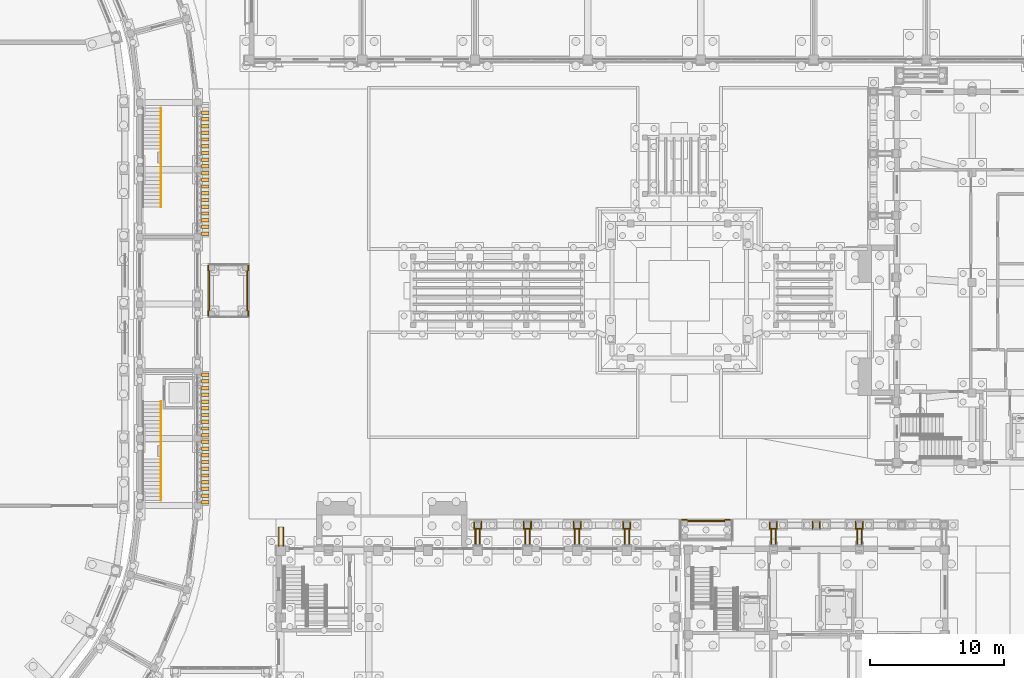
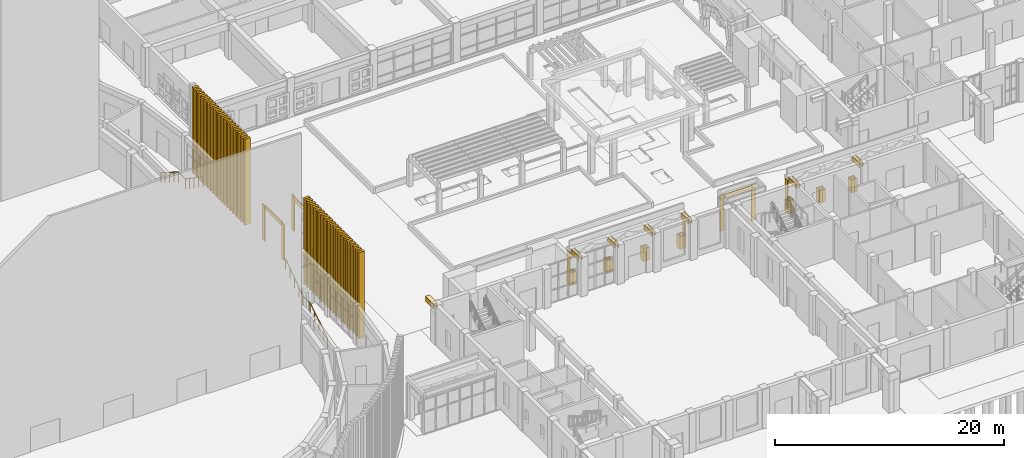
# One storey, part 98 of 112: 80 coverings, 2 railings.
"""IFC4 building model written with IfcOpenShell, lengths in metres."""

from ifc_helpers import new_model, si_unit, direction, frame, origin, origin_2d, place, context, subcontext, project, spatial, polyline, rectangle, circle, outline, extrude, material, layer, layer_set, type_object, element, save


model = new_model("IFC4")

# Units and contexts
model_context = context("Model", 3, precision=1e-05, world=origin(), true_north=direction((0.0, 1.0)))
body_context = subcontext(model_context, "Body", "Model", "MODEL_VIEW")
ifc_project = project(units=[si_unit("LENGTHUNIT", "METRE"), si_unit("AREAUNIT", "SQUARE_METRE"), si_unit("VOLUMEUNIT", "CUBIC_METRE"), si_unit("PLANEANGLEUNIT", "RADIAN"), si_unit("MASSUNIT", "GRAM", prefix="KILO")], contexts=[model_context])

# Site, building, storey
site_placement = place(None, origin())
site = spatial("IfcSite", under=ifc_project, at=site_placement, CompositionType="ELEMENT")
building_placement = place(site_placement, origin())
building = spatial("IfcBuilding", under=site, at=building_placement, Name="Wasatch Bagh Community Centre", CompositionType="ELEMENT")
storey_placement = place(building_placement, origin())
storey = spatial("IfcBuildingStorey", under=building, at=storey_placement, Name="L00", CompositionType="ELEMENT", Elevation=0.0)

# Coverings
ifc_material_1 = material(Name="Cast stone cladding", Category="masonry")
ifc_layer_1 = layer(ifc_material_1, 0.080078125)
ifc_layer_set_1 = layer_set([ifc_layer_1], Name="Cast stone cladding")
covering_type_1 = type_object("IfcCoveringType", Name="CL-B7 beam facing", PredefinedType="CLADDING", material=ifc_layer_set_1)
covering_1_placement = place(storey_placement, frame((0.0, 0.0, 3.39990234375)))
element("IfcCovering", 1, at=covering_1_placement, inside=storey, type_object=covering_type_1, Name="Beam facing", PredefinedType="CLADDING", context=body_context, shape_type="SweptSolid", body=[
    extrude(outline(polyline([(66.22509765625, 32.0), (66.22509765625, 33.39990234375), (66.14501953125, 33.39990234375), (66.14501953125, 32.0), (66.22509765625, 32.0)])), origin(), (0.0, 0.0, 1.0), 0.4501953125),
])
covering_2_placement = place(storey_placement, frame((0.0, 0.0, 3.39990234375)))
element("IfcCovering", 2, at=covering_2_placement, inside=storey, type_object=covering_type_1, Name="Beam facing", PredefinedType="CLADDING", context=body_context, shape_type="SweptSolid", body=[
    extrude(outline(polyline([(66.47509765625, 32.0), (66.47509765625, 33.39990234375), (66.554931640625, 33.39990234375), (66.554931640625, 32.0), (66.47509765625, 32.0)])), origin(), (0.0, 0.0, 1.0), 0.4501953125),
])
covering_3_placement = place(storey_placement, frame((0.0, 0.0, 3.85009765625)))
element("IfcCovering", 3, at=covering_3_placement, inside=storey, type_object=covering_type_1, Name="Beam facing", PredefinedType="CLADDING", context=body_context, shape_type="SweptSolid", body=[
    extrude(outline(polyline([(66.554931640625, 32.0), (66.554931640625, 33.39990234375), (66.14501953125, 33.39990234375), (66.14501953125, 32.0), (66.554931640625, 32.0)])), origin(), (0.0, 0.0, 1.0), 0.079833984375),
])
covering_4_placement = place(storey_placement, frame((0.0, 0.0, 3.39990234375)))
element("IfcCovering", 4, at=covering_4_placement, inside=storey, type_object=covering_type_1, Name="Beam facing", PredefinedType="CLADDING", context=body_context, shape_type="SweptSolid", body=[
    extrude(outline(polyline([(80.875, 32.0), (80.875, 33.324951171875), (80.794921875, 33.324951171875), (80.794921875, 32.0), (80.875, 32.0)])), origin(), (0.0, 0.0, 1.0), 0.4501953125),
])
covering_5_placement = place(storey_placement, frame((0.0, 0.0, 3.39990234375)))
element("IfcCovering", 5, at=covering_5_placement, inside=storey, type_object=covering_type_1, Name="Beam facing", PredefinedType="CLADDING", context=body_context, shape_type="SweptSolid", body=[
    extrude(outline(polyline([(81.125, 32.0), (81.125, 33.2900390625), (81.205078125, 33.2900390625), (81.205078125, 32.0), (81.125, 32.0)])), origin(), (0.0, 0.0, 1.0), 0.4501953125),
])
covering_6_placement = place(storey_placement, frame((0.0, 0.0, 3.39990234375)))
element("IfcCovering", 6, at=covering_6_placement, inside=storey, type_object=covering_type_1, Name="Beam facing", PredefinedType="CLADDING", context=body_context, shape_type="SweptSolid", body=[
    extrude(outline(polyline([(84.574951171875, 32.0), (84.574951171875, 33.2900390625), (84.4951171875, 33.2900390625), (84.4951171875, 32.0), (84.574951171875, 32.0)])), origin(), (0.0, 0.0, 1.0), 0.4501953125),
])
covering_7_placement = place(storey_placement, frame((0.0, 0.0, 3.39990234375)))
element("IfcCovering", 7, at=covering_7_placement, inside=storey, type_object=covering_type_1, Name="Beam facing", PredefinedType="CLADDING", context=body_context, shape_type="SweptSolid", body=[
    extrude(outline(polyline([(84.824951171875, 32.0), (84.824951171875, 33.2900390625), (84.905029296875, 33.2900390625), (84.905029296875, 32.0), (84.824951171875, 32.0)])), origin(), (0.0, 0.0, 1.0), 0.4501953125),
])
covering_8_placement = place(storey_placement, frame((0.0, 0.0, 3.39990234375)))
element("IfcCovering", 8, at=covering_8_placement, inside=storey, type_object=covering_type_1, Name="Beam facing", PredefinedType="CLADDING", context=body_context, shape_type="SweptSolid", body=[
    extrude(outline(polyline([(88.27490234375, 32.0), (88.27490234375, 33.2900390625), (88.195068359375, 33.2900390625), (88.195068359375, 32.0), (88.27490234375, 32.0)])), origin(), (0.0, 0.0, 1.0), 0.4501953125),
])
covering_9_placement = place(storey_placement, frame((0.0, 0.0, 3.39990234375)))
element("IfcCovering", 9, at=covering_9_placement, inside=storey, type_object=covering_type_1, Name="Beam facing", PredefinedType="CLADDING", context=body_context, shape_type="SweptSolid", body=[
    extrude(outline(polyline([(88.52490234375, 32.0), (88.52490234375, 33.2900390625), (88.60498046875, 33.2900390625), (88.60498046875, 32.0), (88.52490234375, 32.0)])), origin(), (0.0, 0.0, 1.0), 0.4501953125),
])
covering_10_placement = place(storey_placement, frame((0.0, 0.0, 3.39990234375)))
element("IfcCovering", 10, at=covering_10_placement, inside=storey, type_object=covering_type_1, Name="Beam facing", PredefinedType="CLADDING", context=body_context, shape_type="SweptSolid", body=[
    extrude(outline(polyline([(91.97509765625, 32.0), (91.97509765625, 33.2900390625), (91.89501953125, 33.2900390625), (91.89501953125, 32.0), (91.97509765625, 32.0)])), origin(), (0.0, 0.0, 1.0), 0.4501953125),
])
covering_11_placement = place(storey_placement, frame((0.0, 0.0, 3.39990234375)))
element("IfcCovering", 11, at=covering_11_placement, inside=storey, type_object=covering_type_1, Name="Beam facing", PredefinedType="CLADDING", context=body_context, shape_type="SweptSolid", body=[
    extrude(outline(polyline([(92.22509765625, 32.0), (92.22509765625, 33.324951171875), (92.304931640625, 33.324951171875), (92.304931640625, 32.0), (92.22509765625, 32.0)])), origin(), (0.0, 0.0, 1.0), 0.4501953125),
])
covering_12_placement = place(storey_placement, frame((0.0, 0.0, 3.39990234375)))
element("IfcCovering", 12, at=covering_12_placement, inside=storey, type_object=covering_type_1, Name="Beam facing", PredefinedType="CLADDING", context=body_context, shape_type="SweptSolid", body=[
    extrude(outline(polyline([(102.875, 32.0), (102.875, 33.324951171875), (102.794921875, 33.324951171875), (102.794921875, 32.0), (102.875, 32.0)])), origin(), (0.0, 0.0, 1.0), 0.4501953125),
])
covering_13_placement = place(storey_placement, frame((0.0, 0.0, 3.39990234375)))
element("IfcCovering", 13, at=covering_13_placement, inside=storey, type_object=covering_type_1, Name="Beam facing", PredefinedType="CLADDING", context=body_context, shape_type="SweptSolid", body=[
    extrude(outline(polyline([(103.125, 32.0), (103.125, 33.2900390625), (103.205078125, 33.2900390625), (103.205078125, 32.0), (103.125, 32.0)])), origin(), (0.0, 0.0, 1.0), 0.4501953125),
])
covering_14_placement = place(storey_placement, frame((0.0, 0.0, 3.39990234375)))
element("IfcCovering", 14, at=covering_14_placement, inside=storey, type_object=covering_type_1, Name="Beam facing", PredefinedType="CLADDING", context=body_context, shape_type="SweptSolid", body=[
    extrude(outline(polyline([(109.27490234375, 32.0), (109.27490234375, 33.2900390625), (109.195068359375, 33.2900390625), (109.195068359375, 32.0), (109.27490234375, 32.0)])), origin(), (0.0, 0.0, 1.0), 0.4501953125),
])
covering_15_placement = place(storey_placement, frame((0.0, 0.0, 3.39990234375)))
element("IfcCovering", 15, at=covering_15_placement, inside=storey, type_object=covering_type_1, Name="Beam facing", PredefinedType="CLADDING", context=body_context, shape_type="SweptSolid", body=[
    extrude(outline(polyline([(109.52490234375, 32.0), (109.52490234375, 33.2900390625), (109.60498046875, 33.2900390625), (109.60498046875, 32.0), (109.52490234375, 32.0)])), origin(), (0.0, 0.0, 1.0), 0.4501953125),
])
covering_16_placement = place(storey_placement, frame((0.0, 0.0, 3.389892578125)))
element("IfcCovering", 16, at=covering_16_placement, inside=storey, type_object=covering_type_1, Name="Beam facing", PredefinedType="CLADDING", context=body_context, shape_type="SweptSolid", body=[
    extrude(outline(polyline([(61.074951171875, 49.5), (61.074951171875, 52.5), (60.9951171875, 52.5), (60.9951171875, 49.5), (61.074951171875, 49.5)])), origin(), (0.0, 0.0, 1.0), 0.4501953125),
])
covering_17_placement = place(storey_placement, frame((0.0, 0.0, 3.389892578125)))
element("IfcCovering", 17, at=covering_17_placement, inside=storey, type_object=covering_type_1, Name="Beam facing", PredefinedType="CLADDING", context=body_context, shape_type="SweptSolid", body=[
    extrude(outline(polyline([(63.824951171875, 49.5), (63.824951171875, 52.5), (63.905029296875, 52.5), (63.905029296875, 49.5), (63.824951171875, 49.5)])), origin(), (0.0, 0.0, 1.0), 0.4501953125),
])
covering_18_placement = place(storey_placement, frame((0.0, 0.0, 3.389892578125)))
element("IfcCovering", 18, at=covering_18_placement, inside=storey, type_object=covering_type_1, Name="Beam facing", PredefinedType="CLADDING", context=body_context, shape_type="SweptSolid", body=[
    extrude(outline(polyline([(96.60009765625, 33.824951171875), (99.39990234375, 33.824951171875), (99.39990234375, 33.905029296875), (96.60009765625, 33.905029296875), (96.60009765625, 33.824951171875)])), origin(), (0.0, 0.0, 1.0), 0.4501953125),
])
ifc_layer_2 = layer(ifc_material_1, 0.080078125)
ifc_layer_set_2 = layer_set([ifc_layer_2], Name="Cast stone cladding")
covering_type_2 = type_object("IfcCoveringType", Name="CL-C1 column facing", PredefinedType="CLADDING", material=ifc_layer_set_2)
covering_19_placement = place(storey_placement, origin())
element("IfcCovering", 19, at=covering_19_placement, inside=storey, type_object=covering_type_2, Name="Column facing", PredefinedType="CLADDING", context=body_context, shape_type="SweptSolid", body=[
    extrude(outline(polyline([(80.77490234375, 33.85498046875), (81.0, 33.85498046875), (81.0, 33.77490234375), (80.77490234375, 33.77490234375), (80.77490234375, 33.324951171875), (81.0, 33.324951171875), (81.0, 33.2451171875), (80.695068359375, 33.2451171875), (80.695068359375, 33.85498046875), (80.77490234375, 33.85498046875)])), origin(), (0.0, 0.0, 1.0), 1.353271484375),
])
covering_20_placement = place(storey_placement, origin())
element("IfcCovering", 20, at=covering_20_placement, inside=storey, type_object=covering_type_2, Name="Column facing", PredefinedType="CLADDING", context=body_context, shape_type="SweptSolid", body=[
    extrude(outline(polyline([(81.22509765625, 33.85498046875), (81.304931640625, 33.85498046875), (81.304931640625, 33.2451171875), (81.0, 33.2451171875), (81.0, 33.324951171875), (81.22509765625, 33.324951171875), (81.22509765625, 33.77490234375), (81.0, 33.77490234375), (81.0, 33.85498046875), (81.22509765625, 33.85498046875)])), origin(), (0.0, 0.0, 1.0), 1.353271484375),
])
covering_21_placement = place(storey_placement, frame((0.0, 0.0, 1.353271484375)))
element("IfcCovering", 21, at=covering_21_placement, inside=storey, type_object=covering_type_2, Name="Column facing", PredefinedType="CLADDING", context=body_context, shape_type="SweptSolid", body=[
    extrude(outline(polyline([(80.77490234375, 33.77490234375), (80.77490234375, 33.324951171875), (80.695068359375, 33.324951171875), (80.695068359375, 33.77490234375), (80.77490234375, 33.77490234375)])), origin(), (0.0, 0.0, 1.0), 2.1630859375),
])
covering_22_placement = place(storey_placement, origin())
element("IfcCovering", 22, at=covering_22_placement, inside=storey, type_object=covering_type_2, Name="Column facing", PredefinedType="CLADDING", context=body_context, shape_type="SweptSolid", body=[
    extrude(outline(polyline([(84.47509765625, 33.85498046875), (84.699951171875, 33.85498046875), (84.699951171875, 33.77490234375), (84.47509765625, 33.77490234375), (84.47509765625, 33.324951171875), (84.699951171875, 33.324951171875), (84.699951171875, 33.2451171875), (84.39501953125, 33.2451171875), (84.39501953125, 33.85498046875), (84.47509765625, 33.85498046875)])), origin(), (0.0, 0.0, 1.0), 1.353271484375),
])
covering_23_placement = place(storey_placement, origin())
element("IfcCovering", 23, at=covering_23_placement, inside=storey, type_object=covering_type_2, Name="Column facing", PredefinedType="CLADDING", context=body_context, shape_type="SweptSolid", body=[
    extrude(outline(polyline([(84.925048828125, 33.85498046875), (85.0048828125, 33.85498046875), (85.0048828125, 33.2451171875), (84.699951171875, 33.2451171875), (84.699951171875, 33.324951171875), (84.925048828125, 33.324951171875), (84.925048828125, 33.77490234375), (84.699951171875, 33.77490234375), (84.699951171875, 33.85498046875), (84.925048828125, 33.85498046875)])), origin(), (0.0, 0.0, 1.0), 1.353271484375),
])
covering_24_placement = place(storey_placement, origin())
element("IfcCovering", 24, at=covering_24_placement, inside=storey, type_object=covering_type_2, Name="Column facing", PredefinedType="CLADDING", context=body_context, shape_type="SweptSolid", body=[
    extrude(outline(polyline([(88.175048828125, 33.85498046875), (88.39990234375, 33.85498046875), (88.39990234375, 33.77490234375), (88.175048828125, 33.77490234375), (88.175048828125, 33.324951171875), (88.39990234375, 33.324951171875), (88.39990234375, 33.2451171875), (88.094970703125, 33.2451171875), (88.094970703125, 33.85498046875), (88.175048828125, 33.85498046875)])), origin(), (0.0, 0.0, 1.0), 1.353271484375),
])
covering_25_placement = place(storey_placement, origin())
element("IfcCovering", 25, at=covering_25_placement, inside=storey, type_object=covering_type_2, Name="Column facing", PredefinedType="CLADDING", context=body_context, shape_type="SweptSolid", body=[
    extrude(outline(polyline([(88.625, 33.85498046875), (88.705078125, 33.85498046875), (88.705078125, 33.2451171875), (88.39990234375, 33.2451171875), (88.39990234375, 33.324951171875), (88.625, 33.324951171875), (88.625, 33.77490234375), (88.39990234375, 33.77490234375), (88.39990234375, 33.85498046875), (88.625, 33.85498046875)])), origin(), (0.0, 0.0, 1.0), 1.353271484375),
])
covering_26_placement = place(storey_placement, origin())
element("IfcCovering", 26, at=covering_26_placement, inside=storey, type_object=covering_type_2, Name="Column facing", PredefinedType="CLADDING", context=body_context, shape_type="SweptSolid", body=[
    extrude(outline(polyline([(91.875, 33.85498046875), (92.10009765625, 33.85498046875), (92.10009765625, 33.77490234375), (91.875, 33.77490234375), (91.875, 33.324951171875), (92.10009765625, 33.324951171875), (92.10009765625, 33.2451171875), (91.794921875, 33.2451171875), (91.794921875, 33.85498046875), (91.875, 33.85498046875)])), origin(), (0.0, 0.0, 1.0), 1.353271484375),
])
covering_27_placement = place(storey_placement, origin())
element("IfcCovering", 27, at=covering_27_placement, inside=storey, type_object=covering_type_2, Name="Column facing", PredefinedType="CLADDING", context=body_context, shape_type="SweptSolid", body=[
    extrude(outline(polyline([(92.324951171875, 33.85498046875), (92.405029296875, 33.85498046875), (92.405029296875, 33.2451171875), (92.10009765625, 33.2451171875), (92.10009765625, 33.324951171875), (92.324951171875, 33.324951171875), (92.324951171875, 33.77490234375), (92.10009765625, 33.77490234375), (92.10009765625, 33.85498046875), (92.324951171875, 33.85498046875)])), origin(), (0.0, 0.0, 1.0), 1.353271484375),
])
covering_28_placement = place(storey_placement, frame((0.0, 0.0, 1.353271484375)))
element("IfcCovering", 28, at=covering_28_placement, inside=storey, type_object=covering_type_2, Name="Column facing", PredefinedType="CLADDING", context=body_context, shape_type="SweptSolid", body=[
    extrude(outline(polyline([(92.324951171875, 33.324951171875), (92.324951171875, 33.77490234375), (92.405029296875, 33.77490234375), (92.405029296875, 33.324951171875), (92.324951171875, 33.324951171875)])), origin(), (0.0, 0.0, 1.0), 2.1630859375),
])
covering_29_placement = place(storey_placement, origin())
element("IfcCovering", 29, at=covering_29_placement, inside=storey, type_object=covering_type_2, Name="Column facing", PredefinedType="CLADDING", context=body_context, shape_type="SweptSolid", body=[
    extrude(outline(polyline([(102.77490234375, 33.85498046875), (103.0, 33.85498046875), (103.0, 33.77490234375), (102.77490234375, 33.77490234375), (102.77490234375, 33.324951171875), (103.0, 33.324951171875), (103.0, 33.2451171875), (102.695068359375, 33.2451171875), (102.695068359375, 33.85498046875), (102.77490234375, 33.85498046875)])), origin(), (0.0, 0.0, 1.0), 1.352294921875),
])
covering_30_placement = place(storey_placement, origin())
element("IfcCovering", 30, at=covering_30_placement, inside=storey, type_object=covering_type_2, Name="Column facing", PredefinedType="CLADDING", context=body_context, shape_type="SweptSolid", body=[
    extrude(outline(polyline([(103.22509765625, 33.85498046875), (103.304931640625, 33.85498046875), (103.304931640625, 33.2451171875), (103.0, 33.2451171875), (103.0, 33.324951171875), (103.22509765625, 33.324951171875), (103.22509765625, 33.77490234375), (103.0, 33.77490234375), (103.0, 33.85498046875), (103.22509765625, 33.85498046875)])), origin(), (0.0, 0.0, 1.0), 1.352294921875),
])
covering_31_placement = place(storey_placement, frame((0.0, 0.0, 1.352294921875)))
element("IfcCovering", 31, at=covering_31_placement, inside=storey, type_object=covering_type_2, Name="Column facing", PredefinedType="CLADDING", context=body_context, shape_type="SweptSolid", body=[
    extrude(outline(polyline([(102.77490234375, 33.77490234375), (102.77490234375, 33.324951171875), (102.695068359375, 33.324951171875), (102.695068359375, 33.77490234375), (102.77490234375, 33.77490234375)])), origin(), (0.0, 0.0, 1.0), 2.18017578125),
])
covering_32_placement = place(storey_placement, origin())
element("IfcCovering", 32, at=covering_32_placement, inside=storey, type_object=covering_type_2, Name="Column facing", PredefinedType="CLADDING", context=body_context, shape_type="SweptSolid", body=[
    extrude(outline(polyline([(105.97509765625, 33.85498046875), (106.199951171875, 33.85498046875), (106.199951171875, 33.77490234375), (105.97509765625, 33.77490234375), (105.97509765625, 33.324951171875), (106.199951171875, 33.324951171875), (106.199951171875, 33.2451171875), (105.89501953125, 33.2451171875), (105.89501953125, 33.85498046875), (105.97509765625, 33.85498046875)])), origin(), (0.0, 0.0, 1.0), 1.352294921875),
])
covering_33_placement = place(storey_placement, origin())
element("IfcCovering", 33, at=covering_33_placement, inside=storey, type_object=covering_type_2, Name="Column facing", PredefinedType="CLADDING", context=body_context, shape_type="SweptSolid", body=[
    extrude(outline(polyline([(106.425048828125, 33.85498046875), (106.5048828125, 33.85498046875), (106.5048828125, 33.2451171875), (106.199951171875, 33.2451171875), (106.199951171875, 33.324951171875), (106.425048828125, 33.324951171875), (106.425048828125, 33.77490234375), (106.199951171875, 33.77490234375), (106.199951171875, 33.85498046875), (106.425048828125, 33.85498046875)])), origin(), (0.0, 0.0, 1.0), 1.352294921875),
])
covering_34_placement = place(storey_placement, origin())
element("IfcCovering", 34, at=covering_34_placement, inside=storey, type_object=covering_type_2, Name="Column facing", PredefinedType="CLADDING", context=body_context, shape_type="SweptSolid", body=[
    extrude(outline(polyline([(109.175048828125, 33.85498046875), (109.39990234375, 33.85498046875), (109.39990234375, 33.77490234375), (109.175048828125, 33.77490234375), (109.175048828125, 33.324951171875), (109.39990234375, 33.324951171875), (109.39990234375, 33.2451171875), (109.094970703125, 33.2451171875), (109.094970703125, 33.85498046875), (109.175048828125, 33.85498046875)])), origin(), (0.0, 0.0, 1.0), 1.352294921875),
])
covering_35_placement = place(storey_placement, origin())
element("IfcCovering", 35, at=covering_35_placement, inside=storey, type_object=covering_type_2, Name="Column facing", PredefinedType="CLADDING", context=body_context, shape_type="SweptSolid", body=[
    extrude(outline(polyline([(109.625, 33.85498046875), (109.705078125, 33.85498046875), (109.705078125, 33.2451171875), (109.39990234375, 33.2451171875), (109.39990234375, 33.324951171875), (109.625, 33.324951171875), (109.625, 33.77490234375), (109.39990234375, 33.77490234375), (109.39990234375, 33.85498046875), (109.625, 33.85498046875)])), origin(), (0.0, 0.0, 1.0), 1.352294921875),
])
covering_36_placement = place(storey_placement, frame((0.0, 0.0, 0.008056640625)))
element("IfcCovering", 36, at=covering_36_placement, inside=storey, type_object=covering_type_2, Name="Column facing", PredefinedType="CLADDING", context=body_context, shape_type="SweptSolid", body=[
    extrude(outline(polyline([(61.0, 49.5), (61.0, 49.10009765625), (60.919921875, 49.10009765625), (60.919921875, 49.5), (61.0, 49.5)])), origin(), (0.0, 0.0, 1.0), 3.83203125),
])
covering_37_placement = place(storey_placement, frame((0.0, 0.0, 0.008056640625)))
element("IfcCovering", 37, at=covering_37_placement, inside=storey, type_object=covering_type_2, Name="Column facing", PredefinedType="CLADDING", context=body_context, shape_type="SweptSolid", body=[
    extrude(outline(polyline([(61.0, 52.89990234375), (61.0, 52.5), (60.919921875, 52.5), (60.919921875, 52.89990234375), (61.0, 52.89990234375)])), origin(), (0.0, 0.0, 1.0), 3.83203125),
])
covering_38_placement = place(storey_placement, origin())
element("IfcCovering", 38, at=covering_38_placement, inside=storey, type_object=covering_type_2, Name="Column facing", PredefinedType="CLADDING", context=body_context, shape_type="SweptSolid", body=[
    extrude(outline(polyline([(63.89990234375, 49.10009765625), (63.89990234375, 49.5), (63.97998046875, 49.5), (63.97998046875, 49.10009765625), (63.89990234375, 49.10009765625)])), origin(), (0.0, 0.0, 1.0), 3.840087890625),
])
covering_39_placement = place(storey_placement, origin())
element("IfcCovering", 39, at=covering_39_placement, inside=storey, type_object=covering_type_2, Name="Column facing", PredefinedType="CLADDING", context=body_context, shape_type="SweptSolid", body=[
    extrude(outline(polyline([(63.89990234375, 52.5), (63.89990234375, 52.89990234375), (63.97998046875, 52.89990234375), (63.97998046875, 52.5), (63.89990234375, 52.5)])), origin(), (0.0, 0.0, 1.0), 3.840087890625),
])
covering_40_placement = place(storey_placement, origin())
element("IfcCovering", 40, at=covering_40_placement, inside=storey, type_object=covering_type_2, Name="Column facing", PredefinedType="CLADDING", context=body_context, shape_type="SweptSolid", body=[
    extrude(outline(polyline([(96.60009765625, 33.89990234375), (96.199951171875, 33.89990234375), (96.199951171875, 33.97998046875), (96.60009765625, 33.97998046875), (96.60009765625, 33.89990234375)])), origin(), (0.0, 0.0, 1.0), 3.840087890625),
])
covering_41_placement = place(storey_placement, origin())
element("IfcCovering", 41, at=covering_41_placement, inside=storey, type_object=covering_type_2, Name="Column facing", PredefinedType="CLADDING", context=body_context, shape_type="SweptSolid", body=[
    extrude(outline(polyline([(99.800048828125, 33.89990234375), (99.39990234375, 33.89990234375), (99.39990234375, 33.97998046875), (99.800048828125, 33.97998046875), (99.800048828125, 33.89990234375)])), origin(), (0.0, 0.0, 1.0), 3.840087890625),
])

# Railings
ifc_material_2 = material(Name="ASTM A500 Grade C steel", Category="steel")
railing_type = type_object("IfcRailingType", Name="Drum guard 1100", PredefinedType="GUARDRAIL", material=ifc_material_2)
railing_1_placement = place(storey_placement, frame((57.425048828125, 35.39990234375, 0.175048828125)))
element("IfcRailing", 42, at=railing_1_placement, inside=storey, type_object=railing_type, Name="Stair guard SE0", PredefinedType="GUARDRAIL", context=body_context, shape_type="SweptSolid", body=[
    extrude(circle(Radius=0.02392578125, at=origin_2d()), frame((0.0, 0.0, 1.076171875), z_axis=(0.0, 0.847998304005, 0.529998940003), x_axis=(-1.0, 0.0, 0.0)), (0.0, 0.0, 1.0), 3.632080078125),
    extrude(circle(Radius=0.02392578125, at=origin_2d()), frame((0.0, 3.080078125, 3.0009765625), z_axis=(0.0, 1.0, 0.0), x_axis=(-1.0, 0.0, 0.0)), (0.0, 0.0, 1.0), 1.199951171875),
    extrude(circle(Radius=0.02392578125, at=origin_2d()), frame((0.0, 4.280029296875, 3.0009765625), z_axis=(0.0, 0.826252282691, 0.563300244406), x_axis=(-1.0, 0.0, 0.0)), (0.0, 0.0, 1.0), 3.727783203125),
    extrude(circle(Radius=0.02099609375, at=origin_2d()), origin(), (0.0, 0.0, 1.0), 1.052001953125),
    extrude(circle(Radius=0.02099609375, at=origin_2d()), frame((0.0, 0.77001953125, 0.481201171875)), (0.0, 0.0, 1.0), 1.052001953125),
    extrude(circle(Radius=0.02099609375, at=origin_2d()), frame((0.0, 1.5400390625, 0.96240234375)), (0.0, 0.0, 1.0), 1.052001953125),
    extrude(circle(Radius=0.02099609375, at=origin_2d()), frame((0.0, 2.31005859375, 1.44384765625)), (0.0, 0.0, 1.0), 1.052001953125),
    extrude(circle(Radius=0.02099609375, at=origin_2d()), frame((0.0, 3.080078125, 1.925048828125)), (0.0, 0.0, 1.0), 1.052001953125),
    extrude(circle(Radius=0.02099609375, at=origin_2d()), frame((0.0, 4.280029296875, 1.925048828125)), (0.0, 0.0, 1.0), 1.052001953125),
    extrude(circle(Radius=0.02099609375, at=origin_2d()), frame((0.0, 5.050048828125, 2.449951171875)), (0.0, 0.0, 1.0), 1.052001953125),
    extrude(circle(Radius=0.02099609375, at=origin_2d()), frame((0.0, 5.820068359375, 2.97509765625)), (0.0, 0.0, 1.0), 1.052001953125),
    extrude(circle(Radius=0.02099609375, at=origin_2d()), frame((0.0, 6.590087890625, 3.5)), (0.0, 0.0, 1.0), 1.052001953125),
    extrude(circle(Radius=0.02099609375, at=origin_2d()), frame((0.0, 7.360107421875, 4.02490234375)), (0.0, 0.0, 1.0), 1.052001953125),
])
railing_2_placement = place(storey_placement, frame((57.425048828125, 64.60009765625, 0.175048828125)))
element("IfcRailing", 43, at=railing_2_placement, inside=storey, type_object=railing_type, Name="Stair guard NE0", PredefinedType="GUARDRAIL", context=body_context, shape_type="SweptSolid", body=[
    extrude(circle(Radius=0.02392578125, at=origin_2d()), frame((0.0, 0.0, 1.076171875), z_axis=(0.0, -0.847998304005, 0.529998940003), x_axis=(1.0, 0.0, 0.0)), (0.0, 0.0, 1.0), 3.632080078125),
    extrude(circle(Radius=0.02392578125, at=origin_2d()), frame((0.0, -3.080078125, 3.0009765625), z_axis=(0.0, -1.0, 0.0), x_axis=(1.0, 0.0, 0.0)), (0.0, 0.0, 1.0), 1.199951171875),
    extrude(circle(Radius=0.02392578125, at=origin_2d()), frame((0.0, -4.280029296875, 3.0009765625), z_axis=(0.0, -0.826252282691, 0.563300244406), x_axis=(1.0, 0.0, 0.0)), (0.0, 0.0, 1.0), 3.727783203125),
    extrude(circle(Radius=0.02099609375, at=origin_2d()), origin(), (0.0, 0.0, 1.0), 1.052001953125),
    extrude(circle(Radius=0.02099609375, at=origin_2d()), frame((0.0, -0.77001953125, 0.481201171875)), (0.0, 0.0, 1.0), 1.052001953125),
    extrude(circle(Radius=0.02099609375, at=origin_2d()), frame((0.0, -1.5400390625, 0.96240234375)), (0.0, 0.0, 1.0), 1.052001953125),
    extrude(circle(Radius=0.02099609375, at=origin_2d()), frame((0.0, -2.31005859375, 1.44384765625)), (0.0, 0.0, 1.0), 1.052001953125),
    extrude(circle(Radius=0.02099609375, at=origin_2d()), frame((0.0, -3.080078125, 1.925048828125)), (0.0, 0.0, 1.0), 1.052001953125),
    extrude(circle(Radius=0.02099609375, at=origin_2d()), frame((0.0, -4.280029296875, 1.925048828125)), (0.0, 0.0, 1.0), 1.052001953125),
    extrude(circle(Radius=0.02099609375, at=origin_2d()), frame((0.0, -5.050048828125, 2.449951171875)), (0.0, 0.0, 1.0), 1.052001953125),
    extrude(circle(Radius=0.02099609375, at=origin_2d()), frame((0.0, -5.820068359375, 2.97509765625)), (0.0, 0.0, 1.0), 1.052001953125),
    extrude(circle(Radius=0.02099609375, at=origin_2d()), frame((0.0, -6.590087890625, 3.5)), (0.0, 0.0, 1.0), 1.052001953125),
    extrude(circle(Radius=0.02099609375, at=origin_2d()), frame((0.0, -7.360107421875, 4.02490234375)), (0.0, 0.0, 1.0), 1.052001953125),
])

# Coverings
ifc_material_3 = material(Name="White precast concrete C40/50", Category="concrete")
ifc_layer_3 = layer(ifc_material_3, 0.25)
ifc_layer_set_3 = layer_set([ifc_layer_3], Name="White precast concrete C40/50")
covering_type_3 = type_object("IfcCoveringType", Name="Drum vertical fin", PredefinedType="CLADDING", material=ifc_layer_set_3)
for number, where, z_axis, x_axis, name in (
    (44, (60.719970703125, 35.25, 0.2998046875), (0.0, 0.0, 1.0), (0.0, 1.0, 0.0), "Fin 13.1"),
    (45, (60.719970703125, 35.75, 0.2998046875), (0.0, 0.0, 1.0), (0.0, 1.0, 0.0), "Fin 13.2"),
    (46, (60.719970703125, 36.25, 0.2998046875), (0.0, 0.0, 1.0), (0.0, 1.0, 0.0), "Fin 13.3"),
    (47, (60.719970703125, 36.75, 0.2998046875), (0.0, 0.0, 1.0), (0.0, 1.0, 0.0), "Fin 13.4"),
    (48, (60.719970703125, 37.25, 0.2998046875), (0.0, 0.0, 1.0), (0.0, 1.0, 0.0), "Fin 13.5"),
    (49, (60.719970703125, 37.75, 0.2998046875), (0.0, 0.0, 1.0), (0.0, 1.0, 0.0), "Fin 13.6"),
    (50, (60.719970703125, 38.25, 0.2998046875), (0.0, 0.0, 1.0), (0.0, 1.0, 0.0), "Fin 13.7"),
    (51, (60.719970703125, 38.75, 0.2998046875), (0.0, 0.0, 1.0), (0.0, 1.0, 0.0), "Fin 13.8"),
    (52, (60.719970703125, 39.25, 0.2998046875), (0.0, 0.0, 1.0), (0.0, 1.0, 0.0), "Fin 13.9"),
    (53, (60.719970703125, 39.75, 0.2998046875), (0.0, 0.0, 1.0), (0.0, 1.0, 0.0), "Fin 13.10"),
    (54, (60.719970703125, 40.25, 0.2998046875), (0.0, 0.0, 1.0), (0.0, 1.0, 0.0), "Fin 14.1"),
    (55, (60.719970703125, 40.75, 0.2998046875), (0.0, 0.0, 1.0), (0.0, 1.0, 0.0), "Fin 14.2"),
    (56, (60.719970703125, 41.25, 0.2998046875), (0.0, 0.0, 1.0), (0.0, 1.0, 0.0), "Fin 14.3"),
    (57, (60.719970703125, 41.75, 0.2998046875), (0.0, 0.0, 1.0), (0.0, 1.0, 0.0), "Fin 14.4"),
    (58, (60.719970703125, 42.25, 0.2998046875), (0.0, 0.0, 1.0), (0.0, 1.0, 0.0), "Fin 14.5"),
    (59, (60.719970703125, 42.75, 0.2998046875), (0.0, 0.0, 1.0), (0.0, 1.0, 0.0), "Fin 14.6"),
    (60, (60.719970703125, 43.25, 0.2998046875), (0.0, 0.0, 1.0), (0.0, 1.0, 0.0), "Fin 14.7"),
    (61, (60.719970703125, 43.75, 0.2998046875), (0.0, 0.0, 1.0), (0.0, 1.0, 0.0), "Fin 14.8"),
    (62, (60.719970703125, 44.25, 0.2998046875), (0.0, 0.0, 1.0), (0.0, 1.0, 0.0), "Fin 14.9"),
    (63, (60.719970703125, 44.75, 0.2998046875), (0.0, 0.0, 1.0), (0.0, 1.0, 0.0), "Fin 14.10"),
    (64, (60.719970703125, 55.25, 0.2998046875), (0.0, 0.0, 1.0), (0.0, 1.0, 0.0), "Fin 17.1"),
    (65, (60.719970703125, 55.75, 0.2998046875), (0.0, 0.0, 1.0), (0.0, 1.0, 0.0), "Fin 17.2"),
    (66, (60.719970703125, 56.25, 0.2998046875), (0.0, 0.0, 1.0), (0.0, 1.0, 0.0), "Fin 17.3"),
    (67, (60.719970703125, 56.75, 0.2998046875), (0.0, 0.0, 1.0), (0.0, 1.0, 0.0), "Fin 17.4"),
    (68, (60.719970703125, 57.25, 0.2998046875), (0.0, 0.0, 1.0), (0.0, 1.0, 0.0), "Fin 17.5"),
    (69, (60.719970703125, 57.75, 0.2998046875), (0.0, 0.0, 1.0), (0.0, 1.0, 0.0), "Fin 17.6"),
    (70, (60.719970703125, 58.25, 0.2998046875), (0.0, 0.0, 1.0), (0.0, 1.0, 0.0), "Fin 17.7"),
    (71, (60.719970703125, 58.75, 0.2998046875), (0.0, 0.0, 1.0), (0.0, 1.0, 0.0), "Fin 17.8"),
    (72, (60.719970703125, 59.25, 0.2998046875), (0.0, 0.0, 1.0), (0.0, 1.0, 0.0), "Fin 17.9"),
    (73, (60.719970703125, 59.75, 0.2998046875), (0.0, 0.0, 1.0), (0.0, 1.0, 0.0), "Fin 17.10"),
    (74, (60.719970703125, 60.25, 0.2998046875), (0.0, 0.0, 1.0), (0.0, 1.0, 0.0), "Fin 18.1"),
    (75, (60.719970703125, 60.75, 0.2998046875), (0.0, 0.0, 1.0), (0.0, 1.0, 0.0), "Fin 18.2"),
    (76, (60.719970703125, 61.25, 0.2998046875), (0.0, 0.0, 1.0), (0.0, 1.0, 0.0), "Fin 18.3"),
    (77, (60.719970703125, 61.75, 0.2998046875), (0.0, 0.0, 1.0), (0.0, 1.0, 0.0), "Fin 18.4"),
    (78, (60.719970703125, 62.25, 0.2998046875), (0.0, 0.0, 1.0), (0.0, 1.0, 0.0), "Fin 18.5"),
    (79, (60.719970703125, 62.75, 0.2998046875), (0.0, 0.0, 1.0), (0.0, 1.0, 0.0), "Fin 18.6"),
    (80, (60.719970703125, 63.25, 0.2998046875), (0.0, 0.0, 1.0), (0.0, 1.0, 0.0), "Fin 18.7"),
    (81, (60.719970703125, 63.75, 0.2998046875), (0.0, 0.0, 1.0), (0.0, 1.0, 0.0), "Fin 18.8"),
    (82, (60.719970703125, 64.25, 0.2998046875), (0.0, 0.0, 1.0), (0.0, 1.0, 0.0), "Fin 18.9"),
):
    element("IfcCovering", number, at=place(storey_placement, frame(where, z_axis=z_axis, x_axis=x_axis)), inside=storey, type_object=covering_type_3, Name=name, PredefinedType="CLADDING", context=body_context, shape_type="SweptSolid", body=[
        extrude(rectangle(XDim=0.25, YDim=0.550048828125, at=origin_2d()), origin(), (0.0, 0.0, 1.0), 9.199951171875),
    ])

save(model, "model.ifc")
